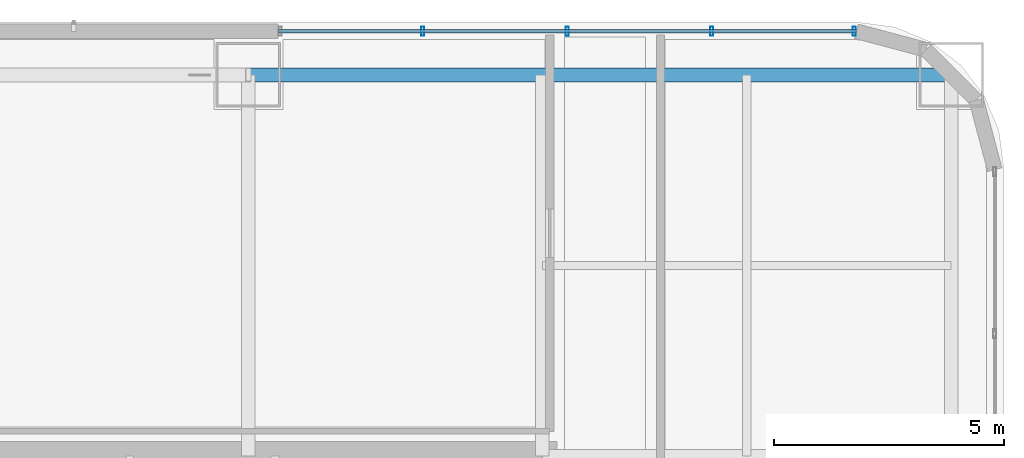
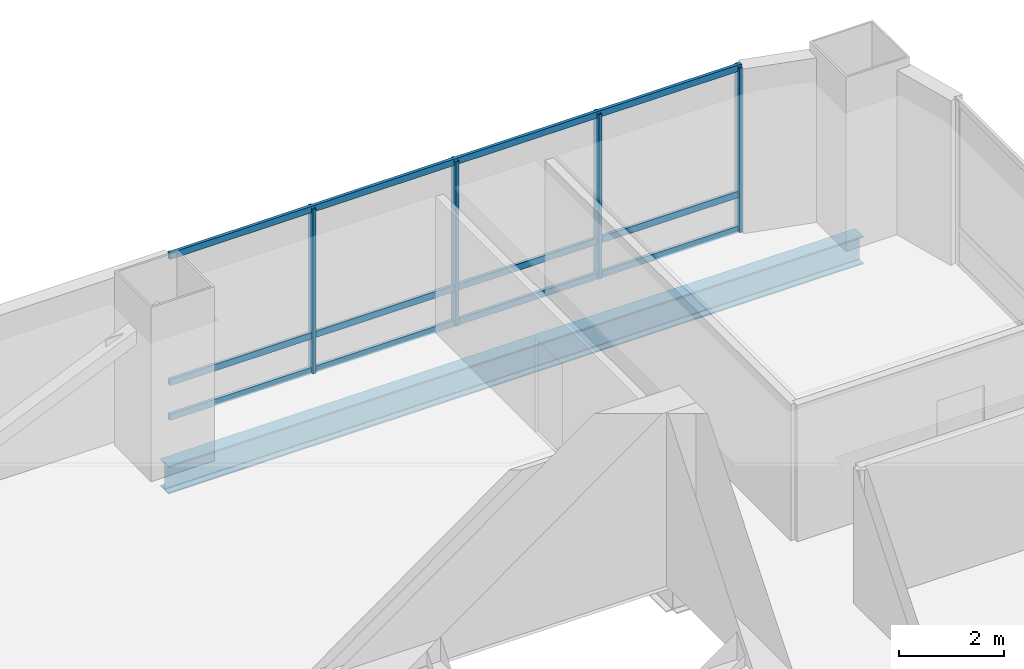
# One storey, part 24 of 38: 7 members, 1 beam, 1 element without a shape of its own.
"""IFC4 building model written with IfcOpenShell, lengths in metres."""

import ifcopenshell
import ifcopenshell.guid

model = None  # the IFC model being written
_history = None  # IfcOwnerHistory: only IFC2X3 demands one
_inside = {}  # id of a spatial element -> (the spatial element, [elements in it])
_under = {}  # id of a project, library or spatial element -> (it, [spatial elements below it])
_declared = {}  # id of a project -> (the project, [libraries it declares])
_typed = {}  # id of a type object -> (the type object, [elements of that type])
_made_of = {}  # id of a material, layer set ... -> (it, [elements and type objects made of it])


def new_model(schema):
    """Start an empty IFC model of exactly this schema.

    Asked for "IFC4X3", IfcOpenShell would pick the latest addendum, in which some entities
    have other attributes; the version numbers below select the first issue.
    IFC2X3 requires an IfcOwnerHistory on every rooted entity: one is made here for all.
    """
    global model, _history
    if schema == "IFC4X3":
        model = ifcopenshell.file(schema_version=(4, 3, 0, 0))
    else:
        model = ifcopenshell.file(schema=schema)
    _inside.clear()
    _under.clear()
    _declared.clear()
    _typed.clear()
    _made_of.clear()
    _history = None
    if model.schema == "IFC2X3":
        org = make("IfcOrganization", Name="unknown")
        user = make(
            "IfcPersonAndOrganization",
            ThePerson=make("IfcPerson", FamilyName="unknown"),
            TheOrganization=org,
        )
        app = make(
            "IfcApplication",
            ApplicationDeveloper=org,
            Version="unknown",
            ApplicationFullName="unknown",
            ApplicationIdentifier="unknown",
        )
        _history = make(
            "IfcOwnerHistory",
            OwningUser=user,
            OwningApplication=app,
            ChangeAction="ADDED",
            CreationDate=0,
        )
    return model


def make(cls, **values):
    """One entity of the class cls with the attributes given. An attribute that is None is left unset."""
    return model.create_entity(
        cls, **{name: value for name, value in values.items() if value is not None}
    )


def rooted(cls, **values):
    """An entity with a GlobalId (a new one), such as an element, a storey or a relation."""
    return make(cls, GlobalId=ifcopenshell.guid.new(), OwnerHistory=_history, **values)


def si_unit(unit_type, name, prefix=None):
    """IfcSIUnit, for example si_unit("LENGTHUNIT", "METRE", prefix="MILLI")."""
    return make("IfcSIUnit", UnitType=unit_type, Prefix=prefix, Name=name)


def assignment(units):
    """IfcUnitAssignment: the units of a project."""
    return None if units is None else make("IfcUnitAssignment", Units=units)


def point(xyz):
    """IfcCartesianPoint."""
    return None if xyz is None else make("IfcCartesianPoint", Coordinates=xyz)


def direction(xyz):
    """IfcDirection."""
    return None if xyz is None else make("IfcDirection", DirectionRatios=xyz)


def frame(location, z_axis=None, x_axis=None):
    """IfcAxis2Placement3D, a coordinate frame: its origin and axes. An axis left out is left unset."""
    return make(
        "IfcAxis2Placement3D",
        Location=point(location),
        Axis=direction(z_axis),
        RefDirection=direction(x_axis),
    )


def frame_2d(location, x_axis=None):
    """IfcAxis2Placement2D, a coordinate frame in the plane: its origin and x axis."""
    return make(
        "IfcAxis2Placement2D", Location=point(location), RefDirection=direction(x_axis)
    )


def origin():
    """The frame at (0, 0, 0) with its axes left unset."""
    return frame((0.0, 0.0, 0.0))


def origin_2d():
    """The frame at (0, 0) in the plane with its x axis left unset."""
    return frame_2d((0.0, 0.0))


def place(relative_to, where):
    """IfcLocalPlacement: puts the frame where relative to a parent placement (None: the world)."""
    return make(
        "IfcLocalPlacement", PlacementRelTo=relative_to, RelativePlacement=where
    )


def context(
    kind, dimensions, precision=None, world=None, true_north=None, identifier=None
):
    """IfcGeometricRepresentationContext, for example the 3D "Model" context."""
    return make(
        "IfcGeometricRepresentationContext",
        ContextIdentifier=identifier,
        ContextType=kind,
        CoordinateSpaceDimension=dimensions,
        Precision=precision,
        WorldCoordinateSystem=world,
        TrueNorth=true_north,
    )


def subcontext(parent, identifier, kind, view, scale=None):
    """IfcGeometricRepresentationSubContext, for example "Body" below "Model"."""
    return make(
        "IfcGeometricRepresentationSubContext",
        ContextIdentifier=identifier,
        ContextType=kind,
        ParentContext=parent,
        TargetScale=scale,
        TargetView=view,
    )


def project(units=None, contexts=None):
    """IfcProject with its units and contexts."""
    return rooted(
        "IfcProject",
        Name="project",
        RepresentationContexts=contexts,
        UnitsInContext=assignment(units),
    )


def spatial(cls, under=None, at=None, **own):
    """A site, building, storey or space (cls), placed at a placement, below another one or the project."""
    s = rooted(cls, ObjectPlacement=at, **own)
    if under is not None:
        _under.setdefault(under.id(), (under, []))[1].append(s)
    return s


def profile(cls, at=None, kind="AREA", **sizes):
    """A parametric profile (cls). Its sizes go by their IFC names, for example OverallWidth=200.0."""
    return make(cls, ProfileType=kind, Position=at, **sizes)


def hollow_rectangle(**sizes):
    """IfcRectangleHollowProfileDef."""
    return profile("IfcRectangleHollowProfileDef", **sizes)


def i_section(**sizes):
    """IfcIShapeProfileDef."""
    return profile("IfcIShapeProfileDef", **sizes)


def extrude(swept, where, along, depth):
    """IfcExtrudedAreaSolid: the profile swept, set in the frame where, extruded along a direction by depth."""
    return make(
        "IfcExtrudedAreaSolid",
        SweptArea=swept,
        Position=where,
        ExtrudedDirection=direction(along),
        Depth=depth,
    )


def shape(context_of_items, identifier, shape_type, items):
    """IfcShapeRepresentation: the items that make up one representation, for example the "Body"."""
    return make(
        "IfcShapeRepresentation",
        ContextOfItems=context_of_items,
        RepresentationIdentifier=identifier,
        RepresentationType=shape_type,
        Items=items,
    )


def material(Name=None, Category=None):
    """IfcMaterial."""
    return make("IfcMaterial", Name=Name, Category=Category)


def material_profile(
    of_material, cross_section, Name=None, Category=None, Priority=None
):
    """IfcMaterialProfile: a cross section and its material."""
    return make(
        "IfcMaterialProfile",
        Name=Name,
        Material=of_material,
        Profile=cross_section,
        Priority=Priority,
        Category=Category,
    )


def profile_set(profiles, Name=None, composite=None):
    """IfcMaterialProfileSet."""
    return make(
        "IfcMaterialProfileSet",
        Name=Name,
        MaterialProfiles=profiles,
        CompositeProfile=composite,
    )


def made_of(thing, what):
    """Note that an element or type object is made of a material, layer set ...; save() writes the relation."""
    if what is not None:
        _made_of.setdefault(what.id(), (what, []))[1].append(thing)
    return thing


def type_object(cls, material=None, **own):
    """A type object (cls), such as IfcWallType, which elements share."""
    return made_of(rooted(cls, **own), material)


def element(
    cls,
    number,
    at=None,
    inside=None,
    cuts=None,
    type_object=None,
    material=None,
    context=None,
    identifier="Body",
    shape_type=None,
    held_by="IfcProductDefinitionShape",
    body=None,
    shapes=None,
    **own,
):
    """One element of the class cls, such as IfcWall. Its Tag is "e" and its number.

    at: its placement. inside: the storey or other place that contains it. cuts: it is an
    opening in that element (IfcRelVoidsElement). A single representation is given by context,
    identifier, shape_type and body (its items); several are given by shapes. held_by: the class
    of the entity that holds the representations. save() writes the other relations.
    """
    e = rooted(cls, Tag="e%d" % number, ObjectPlacement=at, **own)
    if body is not None:
        shapes = [shape(context, identifier, shape_type, body)]
    if shapes is not None:
        e.Representation = make(held_by, Representations=shapes)
    if inside is not None:
        _inside.setdefault(inside.id(), (inside, []))[1].append(e)
    if cuts is not None:
        rooted(
            "IfcRelVoidsElement", RelatingBuildingElement=cuts, RelatedOpeningElement=e
        )
    if type_object is not None:
        _typed.setdefault(type_object.id(), (type_object, []))[1].append(e)
    return made_of(e, material)


def aggregate(whole, parts):
    """IfcRelAggregates: a whole, such as a stair, and the parts it consists of."""
    return rooted("IfcRelAggregates", RelatingObject=whole, RelatedObjects=parts)


def save(model, path):
    """Write the relations noted so far, then the file.

    IfcRelAggregates (storeys below a building ...), IfcRelContainedInSpatialStructure (elements
    in a storey), IfcRelDefinesByType, IfcRelAssociatesMaterial and IfcRelDeclares: one each for
    every whole, place, type object, material and project.
    """
    for whole, parts in _under.values():
        aggregate(whole, parts)
    for where, things in _inside.values():
        rooted(
            "IfcRelContainedInSpatialStructure",
            RelatedElements=things,
            RelatingStructure=where,
        )
    for kind, things in _typed.values():
        rooted("IfcRelDefinesByType", RelatedObjects=things, RelatingType=kind)
    for what, things in _made_of.values():
        rooted("IfcRelAssociatesMaterial", RelatedObjects=things, RelatingMaterial=what)
    for by, libraries in _declared.values():
        rooted("IfcRelDeclares", RelatingContext=by, RelatedDefinitions=libraries)
    model.write(path)


model = new_model("IFC4")

# Units and contexts
model_context = context("Model", 3, precision=1e-05, world=origin(), true_north=direction((0.0, 1.0)))
body_context = subcontext(model_context, "Body", "Model", "MODEL_VIEW")
ifc_project = project(units=[si_unit("LENGTHUNIT", "METRE"), si_unit("AREAUNIT", "SQUARE_METRE"), si_unit("VOLUMEUNIT", "CUBIC_METRE"), si_unit("PLANEANGLEUNIT", "RADIAN"), si_unit("MASSUNIT", "GRAM", prefix="KILO")], contexts=[model_context])

# Site, building, storey
site_placement = place(None, origin())
site = spatial("IfcSite", under=ifc_project, at=site_placement, CompositionType="ELEMENT")
building_placement = place(site_placement, origin())
building = spatial("IfcBuilding", under=site, at=building_placement, Name="Punatoya Terracotta Tower", CompositionType="ELEMENT")
storey_placement = place(building_placement, frame((0.0, 0.0, 188.39990234375)))
storey = spatial("IfcBuildingStorey", under=building, at=storey_placement, Name="L44", CompositionType="ELEMENT", Elevation=188.39990234375)

# Beam
ifc_material_1 = material(Name="Steel S355", Category="steel")
ifc_material_profile_1 = material_profile(ifc_material_1, i_section(OverallWidth=0.300048828125, OverallDepth=0.64990234375, WebThickness=0.01611328125, FlangeThickness=0.031005859375, FilletRadius=0.01806640625, at=origin_2d()))
ifc_profile_set_1 = profile_set([ifc_material_profile_1], Name="Steel S355")
beam_type = type_object("IfcBeamType", Name="BM-PRI-650", PredefinedType="BEAM", material=ifc_profile_set_1)
beam_placement = place(storey_placement, frame((3.800048828125, 17.5, -0.544921875), z_axis=(1.0, 0.0, 0.0), x_axis=(0.0, 1.0, 0.0)))
element("IfcBeam", 1, at=beam_placement, inside=storey, type_object=beam_type, Name="BM-L44-RG-N3", PredefinedType="BEAM", context=body_context, shape_type="SweptSolid", body=[
    extrude(i_section(OverallWidth=0.300048828125, OverallDepth=0.64990234375, WebThickness=0.01611328125, FlangeThickness=0.031005859375, FilletRadius=0.01806640625, at=origin_2d()), origin(), (0.0, 0.0, 1.0), 15.300048828125),
])

# Curtain wall, members
ifc_material_2 = material(Name="Aluminium 6063-T6 + Double Low-E Glass", Category="aluminium")
curtain_wall_type = type_object("IfcCurtainWallType", Name="CW-M2", PredefinedType="NOTDEFINED", material=ifc_material_2)
curtain_wall_placement = place(storey_placement, origin())
curtain_wall = element("IfcCurtainWall", 2, at=curtain_wall_placement, inside=storey, type_object=curtain_wall_type, Name="L44 Curtain Wall CW-L44-N09-1", PredefinedType="NOTDEFINED")
ifc_material_3 = material(Name="Aluminium 6063-T6", Category="aluminium")
ifc_material_profile_2 = material_profile(ifc_material_3, hollow_rectangle(XDim=0.072021484375, YDim=0.195068359375, WallThickness=0.00439453125, at=origin_2d()))
ifc_profile_set_2 = profile_set([ifc_material_profile_2], Name="Aluminium 6063-T6")
member_type_1 = type_object("IfcMemberType", Name="CW-MUL-M2", PredefinedType="MULLION", material=ifc_profile_set_2)
member_1_placement = place(storey_placement, frame((16.991943359375, 18.449951171875, 0.0), z_axis=(0.0, 0.0, 1.0), x_axis=(1.0, 0.0, 0.0)))
member_1 = element("IfcMember", 3, at=member_1_placement, type_object=member_type_1, Name="CW-L44-N09-1 Mullion 00", PredefinedType="MULLION", context=body_context, shape_type="SweptSolid", body=[
    extrude(hollow_rectangle(XDim=0.072021484375, YDim=0.195068359375, WallThickness=0.00439453125, at=origin_2d()), origin(), (0.0, 0.0, 1.0), 3.830078125),
])
member_2_placement = place(storey_placement, frame((13.89013671875, 18.449951171875, 0.0), z_axis=(0.0, 0.0, 1.0), x_axis=(1.0, 0.0, 0.0)))
member_2 = element("IfcMember", 4, at=member_2_placement, type_object=member_type_1, Name="CW-L44-N09-1 Mullion 01", PredefinedType="MULLION", context=body_context, shape_type="SweptSolid", body=[
    extrude(hollow_rectangle(XDim=0.072021484375, YDim=0.195068359375, WallThickness=0.00439453125, at=origin_2d()), origin(), (0.0, 0.0, 1.0), 3.830078125),
])
member_3_placement = place(storey_placement, frame((10.743408203125, 18.449951171875, 0.0), z_axis=(0.0, 0.0, 1.0), x_axis=(1.0, 0.0, 0.0)))
member_3 = element("IfcMember", 5, at=member_3_placement, type_object=member_type_1, Name="CW-L44-N09-1 Mullion 02", PredefinedType="MULLION", context=body_context, shape_type="SweptSolid", body=[
    extrude(hollow_rectangle(XDim=0.072021484375, YDim=0.195068359375, WallThickness=0.00439453125, at=origin_2d()), origin(), (0.0, 0.0, 1.0), 3.830078125),
])
member_4_placement = place(storey_placement, frame((7.5966796875, 18.449951171875, 0.0), z_axis=(0.0, 0.0, 1.0), x_axis=(1.0, 0.0, 0.0)))
member_4 = element("IfcMember", 6, at=member_4_placement, type_object=member_type_1, Name="CW-L44-N09-1 Mullion 03", PredefinedType="MULLION", context=body_context, shape_type="SweptSolid", body=[
    extrude(hollow_rectangle(XDim=0.072021484375, YDim=0.195068359375, WallThickness=0.00439453125, at=origin_2d()), origin(), (0.0, 0.0, 1.0), 3.830078125),
])
ifc_material_profile_3 = material_profile(ifc_material_3, hollow_rectangle(XDim=0.068115234375, YDim=0.14990234375, WallThickness=0.00390625, at=origin_2d()))
ifc_profile_set_3 = profile_set([ifc_material_profile_3], Name="Aluminium 6063-T6")
member_type_2 = type_object("IfcMemberType", Name="CW-TRN-TYP", PredefinedType="USERDEFINED", material=ifc_profile_set_3)
member_5_placement = place(storey_placement, frame((17.036865234375, 18.449951171875, 0.0400390625), z_axis=(-1.0, 0.0, 0.0), x_axis=(0.0, -1.0, 0.0)))
member_5 = element("IfcMember", 7, at=member_5_placement, type_object=member_type_2, Name="CW-L44-N09-1 Transom 1", ObjectType="TRANSOM", PredefinedType="USERDEFINED", context=body_context, shape_type="SweptSolid", body=[
    extrude(hollow_rectangle(XDim=0.068115234375, YDim=0.14990234375, WallThickness=0.00390625, at=origin_2d()), origin(), (0.0, 0.0, 1.0), 12.5869140625),
])
member_6_placement = place(storey_placement, frame((17.036865234375, 18.449951171875, 0.85009765625), z_axis=(-1.0, 0.0, 0.0), x_axis=(0.0, -1.0, 0.0)))
member_6 = element("IfcMember", 8, at=member_6_placement, type_object=member_type_2, Name="CW-L44-N09-1 Transom 2", ObjectType="TRANSOM", PredefinedType="USERDEFINED", context=body_context, shape_type="SweptSolid", body=[
    extrude(hollow_rectangle(XDim=0.068115234375, YDim=0.14990234375, WallThickness=0.00390625, at=origin_2d()), origin(), (0.0, 0.0, 1.0), 12.5869140625),
])
member_7_placement = place(storey_placement, frame((17.036865234375, 18.449951171875, 3.7900390625), z_axis=(-1.0, 0.0, 0.0), x_axis=(0.0, -1.0, 0.0)))
member_7 = element("IfcMember", 9, at=member_7_placement, type_object=member_type_2, Name="CW-L44-N09-1 Transom 3", ObjectType="TRANSOM", PredefinedType="USERDEFINED", context=body_context, shape_type="SweptSolid", body=[
    extrude(hollow_rectangle(XDim=0.068115234375, YDim=0.14990234375, WallThickness=0.00390625, at=origin_2d()), origin(), (0.0, 0.0, 1.0), 12.5869140625),
])
aggregate(curtain_wall, [member_1, member_2, member_3, member_4, member_5, member_6, member_7])

save(model, "model.ifc")
